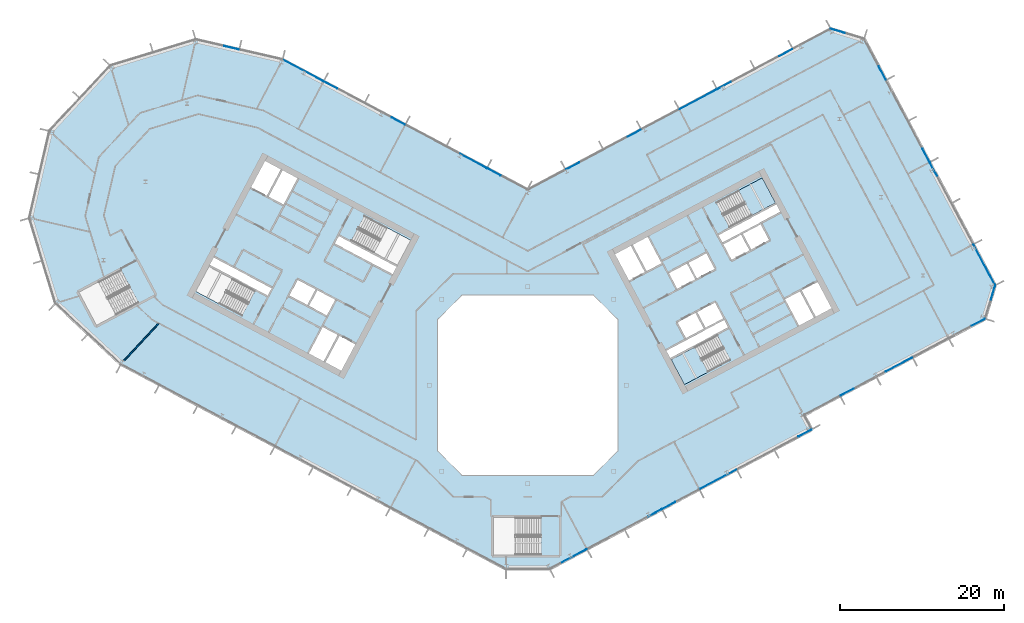
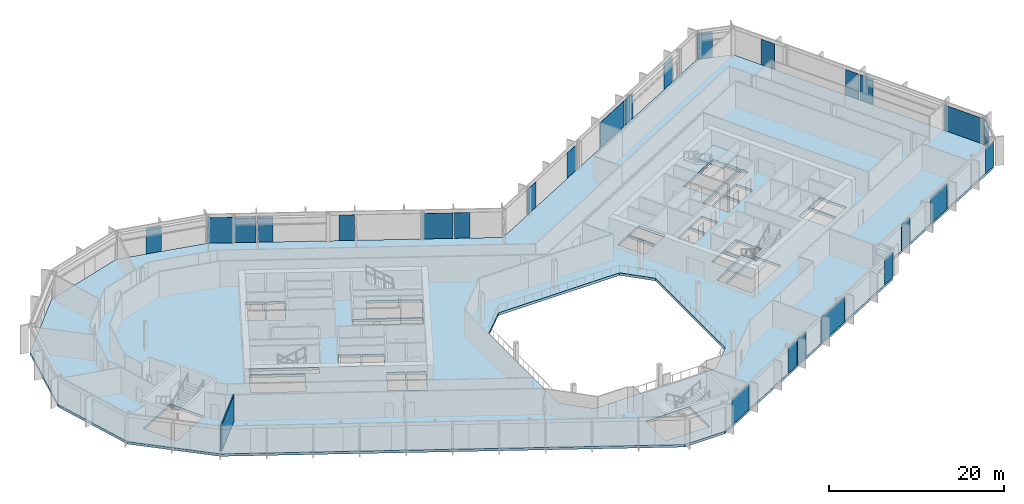
# One storey, part 12 of 28: 25 plates, 3 slabs, 1 wall, 10 elements without a shape of their own.
"""IFC4 building model written with IfcOpenShell, lengths in metres."""

from ifc_helpers import new_model, si_unit, direction, frame, frame_2d, origin, origin_2d, place, context, subcontext, project, spatial, polyline, rectangle, outline, extrude, material, layer, layer_set, type_object, element, aggregate, save


model = new_model("IFC4")

# Units and contexts
model_context = context("Model", 3, precision=1e-05, world=origin(), true_north=direction((0.0, 1.0)))
body_context = subcontext(model_context, "Body", "Model", "MODEL_VIEW")
ifc_project = project(units=[si_unit("LENGTHUNIT", "METRE"), si_unit("AREAUNIT", "SQUARE_METRE"), si_unit("VOLUMEUNIT", "CUBIC_METRE"), si_unit("PLANEANGLEUNIT", "RADIAN"), si_unit("MASSUNIT", "GRAM", prefix="KILO")], contexts=[model_context])

# Site, building, storey
site_placement = place(None, origin())
site = spatial("IfcSite", under=ifc_project, at=site_placement, CompositionType="ELEMENT")
building_placement = place(site_placement, origin())
building = spatial("IfcBuilding", under=site, at=building_placement, Name="Cormorant Relay Tower", CompositionType="ELEMENT")
storey_placement = place(building_placement, frame((0.0, 0.0, 158.199951171875)))
storey = spatial("IfcBuildingStorey", under=building, at=storey_placement, Name="L33", CompositionType="ELEMENT", Elevation=158.199951171875)

# Curtain wall, plates
ifc_material_1 = material(Name="Aluminium 6063-T6 anodised bronze", Category="aluminium")
ifc_layer_1 = layer(ifc_material_1, 0.199951171875)
ifc_layer_set_1 = layer_set([ifc_layer_1], Name="CW1 unitised bronze curtain wall with vertical fins")
curtain_wall_type = type_object("IfcCurtainWallType", Name="CW1 unitised bronze curtain wall with vertical fins", PredefinedType="NOTDEFINED", material=ifc_layer_set_1)
curtain_wall_1_placement = place(storey_placement, origin())
curtain_wall_1 = element("IfcCurtainWall", 1, at=curtain_wall_1_placement, inside=storey, type_object=curtain_wall_type, Name="CW1 curtain wall 2", PredefinedType="NOTDEFINED")
ifc_material_2 = material(Name="Tinted laminated glass", Category="glass")
ifc_layer_2 = layer(ifc_material_2, 0.0400390625)
ifc_layer_set_2 = layer_set([ifc_layer_2], Name="CW1 tinted vision panel 1800 module")
plate_type_1 = type_object("IfcPlateType", Name="CW1 tinted vision panel 1800 module", PredefinedType="CURTAIN_PANEL", material=ifc_layer_set_2)
plate_1_placement = place(storey_placement, frame((15.48291015625, -15.57421875, 0.0), z_axis=(0.0, 0.0, 1.0), x_axis=(0.882947592859, 0.469471562786, 0.0)))
plate_1 = element("IfcPlate", 2, at=plate_1_placement, type_object=plate_type_1, Name="CW1 panel V03", PredefinedType="CURTAIN_PANEL", context=body_context, shape_type="SweptSolid", body=[
    extrude(rectangle(XDim=1.800048828125, YDim=0.0400390625, at=origin_2d()), origin(), (0.0, 0.0, 1.0), 3.550048828125),
])
plate_2_placement = place(storey_placement, frame((17.20458984375, -14.65869140625, 0.0), z_axis=(0.0, 0.0, 1.0), x_axis=(0.882947592859, 0.469471562786, 0.0)))
plate_2 = element("IfcPlate", 3, at=plate_2_placement, type_object=plate_type_1, Name="CW1 panel V04", PredefinedType="CURTAIN_PANEL", context=body_context, shape_type="SweptSolid", body=[
    extrude(rectangle(XDim=1.800048828125, YDim=0.0400390625, at=origin_2d()), origin(), (0.0, 0.0, 1.0), 3.550048828125),
])
plate_3_placement = place(storey_placement, frame((33.796142578125, -5.8369140625, 0.0), z_axis=(0.0, 0.0, 1.0), x_axis=(0.882947592859, 0.469471562786, 0.0)))
plate_3 = element("IfcPlate", 4, at=plate_3_placement, type_object=plate_type_1, Name="CW1 panel V08", PredefinedType="CURTAIN_PANEL", context=body_context, shape_type="SweptSolid", body=[
    extrude(rectangle(XDim=1.800048828125, YDim=0.0400390625, at=origin_2d()), origin(), (0.0, 0.0, 1.0), 3.550048828125),
])

curtain_wall_2_placement = place(storey_placement, origin())
curtain_wall_2 = element("IfcCurtainWall", 5, at=curtain_wall_2_placement, inside=storey, type_object=curtain_wall_type, Name="CW1 curtain wall 4", PredefinedType="NOTDEFINED")
plate_4_placement = place(storey_placement, frame((38.927490234375, -0.843505859375, 0.0), z_axis=(0.0, 0.0, 1.0), x_axis=(0.882947592859, 0.469471562786, 0.0)))
plate_4 = element("IfcPlate", 6, at=plate_4_placement, type_object=plate_type_1, Name="CW1 panel V01", PredefinedType="CURTAIN_PANEL", context=body_context, shape_type="SweptSolid", body=[
    extrude(rectangle(XDim=1.800048828125, YDim=0.0400390625, at=origin_2d()), origin(), (0.0, 0.0, 1.0), 3.550048828125),
])
plate_5_placement = place(storey_placement, frame((54.930908203125, 7.665771484375, 0.0), z_axis=(0.0, 0.0, 1.0), x_axis=(0.882947592859, 0.469471562786, 0.0)))
plate_5 = element("IfcPlate", 7, at=plate_5_placement, type_object=plate_type_1, Name="CW1 panel V05", PredefinedType="CURTAIN_PANEL", context=body_context, shape_type="SweptSolid", body=[
    extrude(rectangle(XDim=1.800048828125, YDim=0.0400390625, at=origin_2d()), origin(), (0.0, 0.0, 1.0), 3.550048828125),
])

# Curtain wall, plate
curtain_wall_3_placement = place(storey_placement, origin())
curtain_wall_3 = element("IfcCurtainWall", 8, at=curtain_wall_3_placement, inside=storey, type_object=curtain_wall_type, Name="CW1 curtain wall 5", PredefinedType="NOTDEFINED")
plate_6_placement = place(storey_placement, frame((56.712646484375, 11.296630859375, 0.0), z_axis=(0.0, 0.0, 1.0), x_axis=(0.292371704723, 0.956304755963, 0.0)))
plate_6 = element("IfcPlate", 9, at=plate_6_placement, type_object=plate_type_1, Name="CW1 panel V01", PredefinedType="CURTAIN_PANEL", context=body_context, shape_type="SweptSolid", body=[
    extrude(rectangle(XDim=1.800048828125, YDim=0.0400390625, at=origin_2d()), origin(), (0.0, 0.0, 1.0), 3.550048828125),
])
aggregate(curtain_wall_3, [plate_6])

# Curtain wall, plates
curtain_wall_4_placement = place(storey_placement, origin())
curtain_wall_4 = element("IfcCurtainWall", 10, at=curtain_wall_4_placement, inside=storey, type_object=curtain_wall_type, Name="CW1 curtain wall 6", PredefinedType="NOTDEFINED")
plate_7_placement = place(storey_placement, frame((49.450927734375, 26.322021484375, 0.0), z_axis=(0.0, 0.0, 1.0), x_axis=(-0.469471562786, 0.882947592859, 0.0)))
plate_7 = element("IfcPlate", 11, at=plate_7_placement, type_object=plate_type_1, Name="CW1 panel V02", PredefinedType="CURTAIN_PANEL", context=body_context, shape_type="SweptSolid", body=[
    extrude(rectangle(XDim=1.800048828125, YDim=0.0400390625, at=origin_2d()), origin(), (0.0, 0.0, 1.0), 3.550048828125),
])
plate_8_placement = place(storey_placement, frame((48.535400390625, 28.043701171875, 0.0), z_axis=(0.0, 0.0, 1.0), x_axis=(-0.469471562786, 0.882947592859, 0.0)))
plate_8 = element("IfcPlate", 12, at=plate_8_placement, type_object=plate_type_1, Name="CW1 panel V03", PredefinedType="CURTAIN_PANEL", context=body_context, shape_type="SweptSolid", body=[
    extrude(rectangle(XDim=1.800048828125, YDim=0.0400390625, at=origin_2d()), origin(), (0.0, 0.0, 1.0), 3.550048828125),
])
plate_9_placement = place(storey_placement, frame((43.21484375, 38.05029296875, 0.0), z_axis=(0.0, 0.0, 1.0), x_axis=(-0.469471562786, 0.882947592859, 0.0)))
plate_9 = element("IfcPlate", 13, at=plate_9_placement, type_object=plate_type_1, Name="CW1 panel V05", PredefinedType="CURTAIN_PANEL", context=body_context, shape_type="SweptSolid", body=[
    extrude(rectangle(XDim=1.800048828125, YDim=0.0400390625, at=origin_2d()), origin(), (0.0, 0.0, 1.0), 3.550048828125),
])

# Curtain wall, plate
curtain_wall_5_placement = place(storey_placement, origin())
curtain_wall_5 = element("IfcCurtainWall", 14, at=curtain_wall_5_placement, inside=storey, type_object=curtain_wall_type, Name="CW1 curtain wall 7", PredefinedType="NOTDEFINED")
plate_10_placement = place(storey_placement, frame((37.8037109375, 43.179931640625, 0.0), z_axis=(0.0, 0.0, 1.0), x_axis=(-0.956304755963, 0.292371704723, 0.0)))
plate_10 = element("IfcPlate", 15, at=plate_10_placement, type_object=plate_type_1, Name="CW1 panel V01", PredefinedType="CURTAIN_PANEL", context=body_context, shape_type="SweptSolid", body=[
    extrude(rectangle(XDim=1.800048828125, YDim=0.0400390625, at=origin_2d()), origin(), (0.0, 0.0, 1.0), 3.550048828125),
])
aggregate(curtain_wall_5, [plate_10])

# Curtain wall, plates
curtain_wall_6_placement = place(storey_placement, origin())
curtain_wall_6 = element("IfcCurtainWall", 16, at=curtain_wall_6_placement, inside=storey, type_object=curtain_wall_type, Name="CW1 curtain wall 8", PredefinedType="NOTDEFINED")
plate_11_placement = place(storey_placement, frame((31.449951171875, 40.52880859375, 0.0), z_axis=(0.0, 0.0, 1.0), x_axis=(-0.882947592859, -0.469471562786, 0.0)))
plate_11 = element("IfcPlate", 17, at=plate_11_placement, type_object=plate_type_1, Name="CW1 panel V01", PredefinedType="CURTAIN_PANEL", context=body_context, shape_type="SweptSolid", body=[
    extrude(rectangle(XDim=1.800048828125, YDim=0.0400390625, at=origin_2d()), origin(), (0.0, 0.0, 1.0), 3.550048828125),
])
plate_12_placement = place(storey_placement, frame((23.937255859375, 36.5341796875, 0.0), z_axis=(0.0, 0.0, 1.0), x_axis=(-0.882947592859, -0.469471562786, 0.0)))
plate_12 = element("IfcPlate", 18, at=plate_12_placement, type_object=plate_type_1, Name="CW1 panel V03", PredefinedType="CURTAIN_PANEL", context=body_context, shape_type="SweptSolid", body=[
    extrude(rectangle(XDim=1.800048828125, YDim=0.0400390625, at=origin_2d()), origin(), (0.0, 0.0, 1.0), 3.550048828125),
])
plate_13_placement = place(storey_placement, frame((12.981201171875, 30.708984375, 0.0), z_axis=(0.0, 0.0, 1.0), x_axis=(-0.882947592859, -0.469471562786, 0.0)))
plate_13 = element("IfcPlate", 19, at=plate_13_placement, type_object=plate_type_1, Name="CW1 panel V06", PredefinedType="CURTAIN_PANEL", context=body_context, shape_type="SweptSolid", body=[
    extrude(rectangle(XDim=1.800048828125, YDim=0.0400390625, at=origin_2d()), origin(), (0.0, 0.0, 1.0), 3.550048828125),
])
plate_14_placement = place(storey_placement, frame((5.468505859375, 26.71435546875, 0.0), z_axis=(0.0, 0.0, 1.0), x_axis=(-0.882947592859, -0.469471562786, 0.0)))
plate_14 = element("IfcPlate", 20, at=plate_14_placement, type_object=plate_type_1, Name="CW1 panel V08", PredefinedType="CURTAIN_PANEL", context=body_context, shape_type="SweptSolid", body=[
    extrude(rectangle(XDim=1.800048828125, YDim=0.0400390625, at=origin_2d()), origin(), (0.0, 0.0, 1.0), 3.550048828125),
])

curtain_wall_7_placement = place(storey_placement, origin())
curtain_wall_7 = element("IfcCurtainWall", 21, at=curtain_wall_7_placement, inside=storey, type_object=curtain_wall_type, Name="CW1 curtain wall 9", PredefinedType="NOTDEFINED")
plate_15_placement = place(storey_placement, frame((-4.108642578125, 25.9912109375, 0.0), z_axis=(0.0, 0.0, 1.0), x_axis=(-0.882947592859, 0.469471562786, 0.0)))
plate_15 = element("IfcPlate", 22, at=plate_15_placement, type_object=plate_type_1, Name="CW1 panel V01", PredefinedType="CURTAIN_PANEL", context=body_context, shape_type="SweptSolid", body=[
    extrude(rectangle(XDim=1.800048828125, YDim=0.0400390625, at=origin_2d()), origin(), (0.0, 0.0, 1.0), 3.550048828125),
])
plate_16_placement = place(storey_placement, frame((-15.788330078125, 32.201416015625, 0.0), z_axis=(0.0, 0.0, 1.0), x_axis=(-0.882947592859, 0.469471562786, 0.0)))
plate_16 = element("IfcPlate", 23, at=plate_16_placement, type_object=plate_type_1, Name="CW1 panel V04", PredefinedType="CURTAIN_PANEL", context=body_context, shape_type="SweptSolid", body=[
    extrude(rectangle(XDim=1.800048828125, YDim=0.0400390625, at=origin_2d()), origin(), (0.0, 0.0, 1.0), 3.550048828125),
])
plate_17_placement = place(storey_placement, frame((-24.0244140625, 36.580810546875, 0.0), z_axis=(0.0, 0.0, 1.0), x_axis=(-0.882947592859, 0.469471562786, 0.0)))
plate_17 = element("IfcPlate", 24, at=plate_17_placement, type_object=plate_type_1, Name="CW1 panel V06", PredefinedType="CURTAIN_PANEL", context=body_context, shape_type="SweptSolid", body=[
    extrude(rectangle(XDim=1.800048828125, YDim=0.0400390625, at=origin_2d()), origin(), (0.0, 0.0, 1.0), 3.550048828125),
])

# Curtain wall, plate
curtain_wall_8_placement = place(storey_placement, origin())
curtain_wall_8 = element("IfcCurtainWall", 25, at=curtain_wall_8_placement, inside=storey, type_object=curtain_wall_type, Name="CW1 curtain wall 10", PredefinedType="NOTDEFINED")
plate_18_placement = place(storey_placement, frame((-36.114990234375, 41.129638671875, 0.0), z_axis=(0.0, 0.0, 1.0), x_axis=(-0.974370064785, 0.224951054344, 0.0)))
plate_18 = element("IfcPlate", 26, at=plate_18_placement, type_object=plate_type_1, Name="CW1 panel V01", PredefinedType="CURTAIN_PANEL", context=body_context, shape_type="SweptSolid", body=[
    extrude(rectangle(XDim=1.800048828125, YDim=0.0400390625, at=origin_2d()), origin(), (0.0, 0.0, 1.0), 3.550048828125),
])
aggregate(curtain_wall_8, [plate_18])

# Plate
ifc_material_3 = material(Name="Tinted laminated glass", Category="glass")
ifc_layer_3 = layer(ifc_material_3, 0.0400390625)
ifc_layer_set_3 = layer_set([ifc_layer_3], Name="CW1 tinted vision panel 3600 module")
plate_type_2 = type_object("IfcPlateType", Name="CW1 tinted vision panel 3600 module", PredefinedType="CURTAIN_PANEL", material=ifc_layer_set_3)
plate_19_placement = place(storey_placement, frame((5.564453125, -20.847900390625, 0.0), z_axis=(0.0, 0.0, 1.0), x_axis=(0.882947592859, 0.469471562786, 0.0)))
plate_19 = element("IfcPlate", 27, at=plate_19_placement, type_object=plate_type_2, Name="CW1 panel V01", PredefinedType="CURTAIN_PANEL", context=body_context, shape_type="SweptSolid", body=[
    extrude(rectangle(XDim=3.60009765625, YDim=0.0400390625, at=origin_2d()), origin(), (0.0, 0.0, 1.0), 3.550048828125),
])

plate_20_placement = place(storey_placement, frame((45.240478515625, 2.513427734375, 0.0), z_axis=(0.0, 0.0, 1.0), x_axis=(0.882947592859, 0.469471562786, 0.0)))
plate_20 = element("IfcPlate", 28, at=plate_20_placement, type_object=plate_type_2, Name="CW1 panel V03", PredefinedType="CURTAIN_PANEL", context=body_context, shape_type="SweptSolid", body=[
    extrude(rectangle(XDim=3.60009765625, YDim=0.0400390625, at=origin_2d()), origin(), (0.0, 0.0, 1.0), 3.550048828125),
])

aggregate(curtain_wall_2, [plate_4, plate_20, plate_5])

plate_21_placement = place(storey_placement, frame((-6.625, 27.3291015625, 0.0), z_axis=(0.0, 0.0, 1.0), x_axis=(-0.882947592859, 0.469471562786, 0.0)))
plate_21 = element("IfcPlate", 29, at=plate_21_placement, type_object=plate_type_2, Name="CW1 panel V02", PredefinedType="CURTAIN_PANEL", context=body_context, shape_type="SweptSolid", body=[
    extrude(rectangle(XDim=3.60009765625, YDim=0.0400390625, at=origin_2d()), origin(), (0.0, 0.0, 1.0), 3.550048828125),
])

ifc_material_4 = material(Name="Tinted laminated glass", Category="glass")
ifc_layer_4 = layer(ifc_material_4, 0.0400390625)
ifc_layer_set_4 = layer_set([ifc_layer_4], Name="CW1 tinted vision panel 5400 module")
plate_type_3 = type_object("IfcPlateType", Name="CW1 tinted vision panel 5400 module", PredefinedType="CURTAIN_PANEL", material=ifc_layer_set_4)
plate_22_placement = place(storey_placement, frame((23.186279296875, -11.478271484375, 0.0), z_axis=(0.0, 0.0, 1.0), x_axis=(0.882947592859, 0.469471562786, 0.0)))
plate_22 = element("IfcPlate", 30, at=plate_22_placement, type_object=plate_type_3, Name="CW1 panel V06", PredefinedType="CURTAIN_PANEL", context=body_context, shape_type="SweptSolid", body=[
    extrude(rectangle(XDim=5.0166015625, YDim=0.0400390625, at=origin_2d()), origin(), (0.0, 0.0, 1.0), 3.550048828125),
])

aggregate(curtain_wall_1, [plate_19, plate_1, plate_2, plate_22, plate_3])

plate_23_placement = place(storey_placement, frame((55.64404296875, 14.67431640625, 0.0), z_axis=(0.0, 0.0, 1.0), x_axis=(-0.469471562786, 0.882947592859, 0.0)))
plate_23 = element("IfcPlate", 31, at=plate_23_placement, type_object=plate_type_3, Name="CW1 panel V00", PredefinedType="CURTAIN_PANEL", context=body_context, shape_type="SweptSolid", body=[
    extrude(rectangle(XDim=5.5166015625, YDim=0.0400390625, at=origin_2d()), origin(), (0.0, 0.0, 1.0), 3.550048828125),
])

aggregate(curtain_wall_4, [plate_23, plate_7, plate_8, plate_9])

plate_24_placement = place(storey_placement, frame((20.767822265625, 34.84912109375, 0.0), z_axis=(0.0, 0.0, 1.0), x_axis=(-0.882947592859, -0.469471562786, 0.0)))
plate_24 = element("IfcPlate", 32, at=plate_24_placement, type_object=plate_type_3, Name="CW1 panel V04", PredefinedType="CURTAIN_PANEL", context=body_context, shape_type="SweptSolid", body=[
    extrude(rectangle(XDim=5.079345703125, YDim=0.0400390625, at=origin_2d()), origin(), (0.0, 0.0, 1.0), 3.550048828125),
])

aggregate(curtain_wall_6, [plate_11, plate_12, plate_24, plate_13, plate_14])

plate_25_placement = place(storey_placement, frame((-27.407958984375, 38.379638671875, 0.0), z_axis=(0.0, 0.0, 1.0), x_axis=(-0.882947592859, 0.469471562786, 0.0)))
plate_25 = element("IfcPlate", 33, at=plate_25_placement, type_object=plate_type_3, Name="CW1 panel V07", PredefinedType="CURTAIN_PANEL", context=body_context, shape_type="SweptSolid", body=[
    extrude(rectangle(XDim=5.56396484375, YDim=0.0400390625, at=origin_2d()), origin(), (0.0, 0.0, 1.0), 3.550048828125),
])

aggregate(curtain_wall_7, [plate_15, plate_21, plate_16, plate_17, plate_25])

# Stair, slab
ifc_material_5 = material(Name="Concrete 40 MPa", Category="concrete")
stair_type = type_object("IfcStairType", Name="Exit stair 1500", PredefinedType="HALF_TURN_STAIR", material=ifc_material_5)
stair_1_placement = place(storey_placement, origin())
stair_1 = element("IfcStair", 34, at=stair_1_placement, inside=storey, type_object=stair_type, Name="L33 Stair", PredefinedType="HALF_TURN_STAIR")
ifc_material_6 = material(Name="Concrete 40 MPa", Category="concrete")
ifc_layer_5 = layer(ifc_material_6, 0.199951171875)
ifc_layer_set_5 = layer_set([ifc_layer_5], Name="Exit stair landing 200")
slab_type_1 = type_object("IfcSlabType", Name="Exit stair landing 200", PredefinedType="LANDING", material=ifc_layer_set_5)
slab_1_placement = place(storey_placement, frame((0.0, 0.0, 1.800048828125)))
slab_1 = element("IfcSlab", 35, at=slab_1_placement, type_object=slab_type_1, Name="B1 landing 1", PredefinedType="LANDING", context=body_context, shape_type="SweptSolid", body=[
    extrude(outline(polyline([(20.36767578125, 4.6572265625), (17.48046875, 3.1220703125), (19.10009765625, 0.075927734375), (21.9873046875, 1.611083984375), (20.36767578125, 4.6572265625)])), origin(), (0.0, 0.0, 1.0), 0.199951171875),
])
aggregate(stair_1, [slab_1])

stair_2_placement = place(storey_placement, origin())
stair_2 = element("IfcStair", 36, at=stair_2_placement, inside=storey, type_object=stair_type, Name="L33 Stair", PredefinedType="HALF_TURN_STAIR")
slab_2_placement = place(storey_placement, frame((0.0, 0.0, 1.800048828125)))
slab_2 = element("IfcSlab", 37, at=slab_2_placement, type_object=slab_type_1, Name="B2 landing 1", PredefinedType="LANDING", context=body_context, shape_type="SweptSolid", body=[
    extrude(outline(polyline([(27.3115234375, 20.6943359375), (30.19873046875, 22.2294921875), (28.5791015625, 25.275634765625), (25.69189453125, 23.740478515625), (27.3115234375, 20.6943359375)])), origin(), (0.0, 0.0, 1.0), 0.199951171875),
])
aggregate(stair_2, [slab_2])

# Slab
ifc_material_7 = material(Name="Concrete 40 MPa", Category="concrete")
ifc_layer_6 = layer(ifc_material_7, 0.360107421875)
ifc_layer_set_6 = layer_set([ifc_layer_6], Name="Flat plate 360")
slab_type_2 = type_object("IfcSlabType", Name="Flat plate 360", PredefinedType="FLOOR", material=ifc_layer_set_6)
slab_3_placement = place(storey_placement, frame((0.0, 0.0, -0.35986328125)))
element("IfcSlab", 38, at=slab_3_placement, inside=storey, type_object=slab_type_2, Name="Floor slab L33", PredefinedType="FLOOR", context=body_context, shape_type="SweptSolid", body=[
    extrude(outline(polyline([(-60.7197265625, 20.393310546875), (-58.2744140625, 30.985107421875), (-50.86083984375, 38.935302734375), (-40.465576171875, 42.11328125), (-29.873779296875, 39.668212890625), (0.0, 23.783935546875), (36.937255859375, 43.423828125), (40.99462890625, 42.18359375), (56.95654296875, 12.1630859375), (55.71630859375, 8.10595703125), (33.642578125, -3.630859375), (34.581298828125, -5.396728515625), (2.648681640625, -22.37548828125), (-2.648681640625, -22.37548828125), (-49.591552734375, 2.584228515625), (-57.541748046875, 9.997802734375), (-60.7197265625, 20.393310546875)]), holes=[polyline([(11.0, -8.0), (11.0, 8.0), (8.0, 11.0), (-8.0, 11.0), (-11.0, 8.0), (-11.0, -8.0), (-8.0, -11.0), (8.0, -11.0), (11.0, -8.0)]), polyline([(-4.199951171875, -16.125), (-4.199951171875, -20.675048828125), (1.60009765625, -20.675048828125), (1.60009765625, -16.125), (-4.199951171875, -16.125)]), polyline([(-22.95458984375, 6.03271484375), (-24.668212890625, 2.81005859375), (-22.725830078125, 1.777099609375), (-21.01220703125, 5.0), (-23.04296875, 6.07958984375), (-22.95458984375, 6.03271484375)]), polyline([(-24.985595703125, 7.112548828125), (-26.69921875, 3.889892578125), (-24.844970703125, 2.90380859375), (-23.13134765625, 6.126708984375), (-23.04296875, 6.07958984375), (-24.985595703125, 7.112548828125)]), polyline([(-26.688720703125, 9.660400390625), (-24.481201171875, 8.48681640625), (-23.448486328125, 10.42919921875), (-25.656005859375, 11.602783203125), (-26.688720703125, 9.660400390625)]), polyline([(-49.57861328125, 14.0537109375), (-54.69970703125, 11.330810546875), (-52.563720703125, 7.3134765625), (-47.442626953125, 10.036376953125), (-49.57861328125, 14.0537109375)]), polyline([(-28.039794921875, 12.870361328125), (-29.07275390625, 10.927978515625), (-26.865234375, 9.75439453125), (-25.83251953125, 11.69677734375), (-28.039794921875, 12.870361328125)]), polyline([(-38.847900390625, 14.483154296875), (-40.46728515625, 11.43701171875), (-34.860595703125, 8.455810546875), (-33.240966796875, 11.502197265625), (-38.847900390625, 14.483154296875)]), polyline([(-38.260986328125, 15.5869140625), (-38.75390625, 14.659912109375), (-31.690185546875, 10.904052734375), (-31.197265625, 11.8310546875), (-38.260986328125, 15.5869140625)]), polyline([(14.3056640625, 13.779052734375), (12.592041015625, 17.001708984375), (10.649658203125, 15.968994140625), (12.36328125, 12.74609375), (14.39404296875, 13.825927734375), (14.3056640625, 13.779052734375)]), polyline([(16.33642578125, 14.85888671875), (14.622802734375, 18.08154296875), (12.768798828125, 17.095703125), (14.482421875, 13.872802734375), (14.39404296875, 13.825927734375), (16.33642578125, 14.85888671875)]), polyline([(-16.481689453125, 13.520263671875), (-15.989013671875, 14.447509765625), (-23.052490234375, 18.203125), (-23.54541015625, 17.276123046875), (-16.481689453125, 13.520263671875)]), polyline([(-21.501708984375, 17.605224609375), (-15.89501953125, 14.6240234375), (-14.275390625, 17.670166015625), (-19.882080078125, 20.6513671875), (-21.501708984375, 17.605224609375)]), polyline([(-31.611572265625, 22.980712890625), (-29.75732421875, 21.99462890625), (-28.043701171875, 25.217529296875), (-29.89794921875, 26.203369140625), (-31.611572265625, 22.980712890625)]), polyline([(-32.01708984375, 27.330078125), (-33.73046875, 24.107421875), (-31.7880859375, 23.074462890625), (-30.074462890625, 26.29736328125), (-32.01708984375, 27.330078125)]), polyline([(17.48046875, 3.1220703125), (19.10009765625, 0.07568359375), (24.706787109375, 3.056884765625), (23.087158203125, 6.10302734375), (17.48046875, 3.1220703125)]), polyline([(16.8935546875, 4.2255859375), (17.386474609375, 3.298583984375), (24.4501953125, 7.054443359375), (23.957275390625, 7.9814453125), (16.8935546875, 4.2255859375)]), polyline([(20.446533203125, 8.8330078125), (18.239013671875, 7.6591796875), (19.27197265625, 5.716796875), (21.479248046875, 6.890380859375), (20.446533203125, 8.8330078125)]), polyline([(20.623046875, 8.927001953125), (21.656005859375, 6.984375), (23.86328125, 8.158203125), (22.830322265625, 10.1005859375), (20.623046875, 8.927001953125)]), polyline([(33.197021484375, 11.478515625), (31.3427734375, 10.49267578125), (33.056396484375, 7.27001953125), (34.910400390625, 8.255859375), (33.197021484375, 11.478515625)]), polyline([(33.37353515625, 11.572509765625), (35.087158203125, 8.349609375), (37.029541015625, 9.382568359375), (35.31591796875, 12.605224609375), (33.37353515625, 11.572509765625)]), polyline([(19.401123046875, 14.84619140625), (17.19384765625, 13.67236328125), (18.2265625, 11.72998046875), (20.43408203125, 12.903564453125), (19.401123046875, 14.84619140625)]), polyline([(22.81787109375, 14.171142578125), (21.78515625, 16.113525390625), (19.57763671875, 14.93994140625), (20.610595703125, 12.99755859375), (22.81787109375, 14.171142578125)]), polyline([(26.023193359375, 18.3671875), (23.81591796875, 17.193359375), (24.8486328125, 15.2509765625), (27.05615234375, 16.424560546875), (26.023193359375, 18.3671875)]), polyline([(29.440185546875, 17.692138671875), (28.4072265625, 19.634765625), (26.19970703125, 18.4609375), (27.232666015625, 16.5185546875), (29.440185546875, 17.692138671875)]), polyline([(30.78564453125, 21.125732421875), (30.29248046875, 22.052978515625), (23.22900390625, 18.297119140625), (23.721923828125, 17.3701171875), (30.78564453125, 21.125732421875)]), polyline([(24.592041015625, 19.248291015625), (30.19873046875, 22.2294921875), (28.5791015625, 25.275634765625), (22.972412109375, 22.29443359375), (24.592041015625, 19.248291015625)])]), origin(), (0.0, 0.0, 1.0), 0.35986328125),
])

# Wall
ifc_material_8 = material(Name="Gypsum board partition")
ifc_layer_7 = layer(ifc_material_8, 0.14990234375)
ifc_layer_set_7 = layer_set([ifc_layer_7], Name="Tenant partition 150")
wall_type = type_object("IfcWallType", Name="Tenant partition 150", PredefinedType="PARTITIONING", material=ifc_layer_set_7)
wall_placement = place(storey_placement, frame((-44.967041015625, 7.5439453125, 0.0), z_axis=(0.0, 0.0, 1.0), x_axis=(-0.681977908196, -0.731372772759, 0.0)))
element("IfcWall", 39, at=wall_placement, inside=storey, type_object=wall_type, Name="wall/L33/part/011", PredefinedType="PARTITIONING", context=body_context, shape_type="SweptSolid", body=[
    extrude(rectangle(XDim=6.237548828125, YDim=0.14990234375, at=frame_2d((3.11865234375, 0.0))), origin(), (0.0, 0.0, 1.0), 3.64013671875),
])

save(model, "model.ifc")
